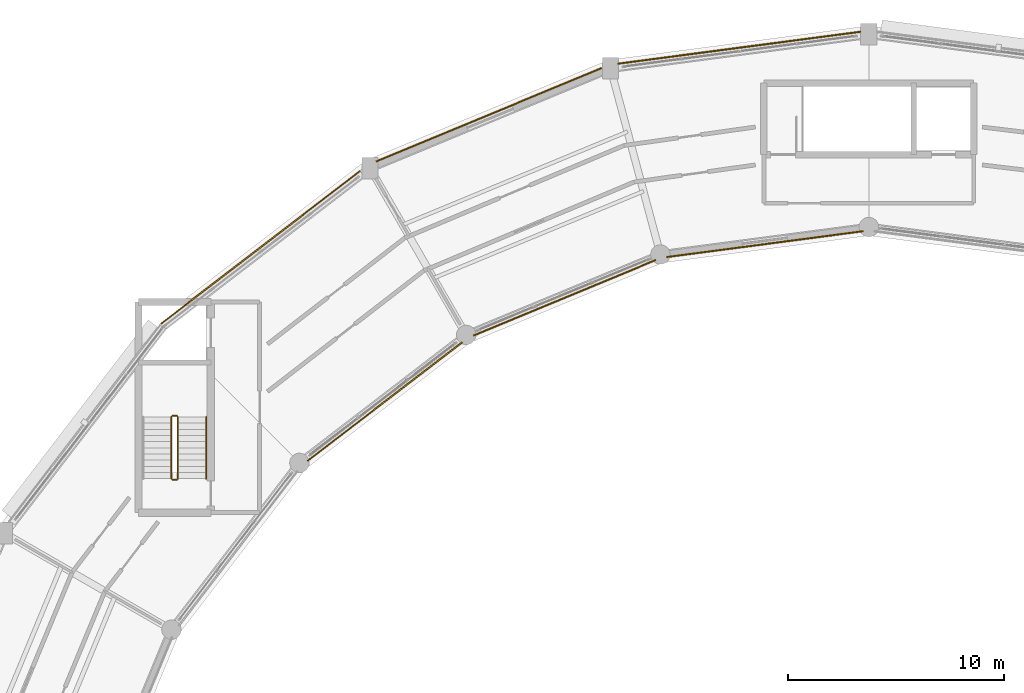
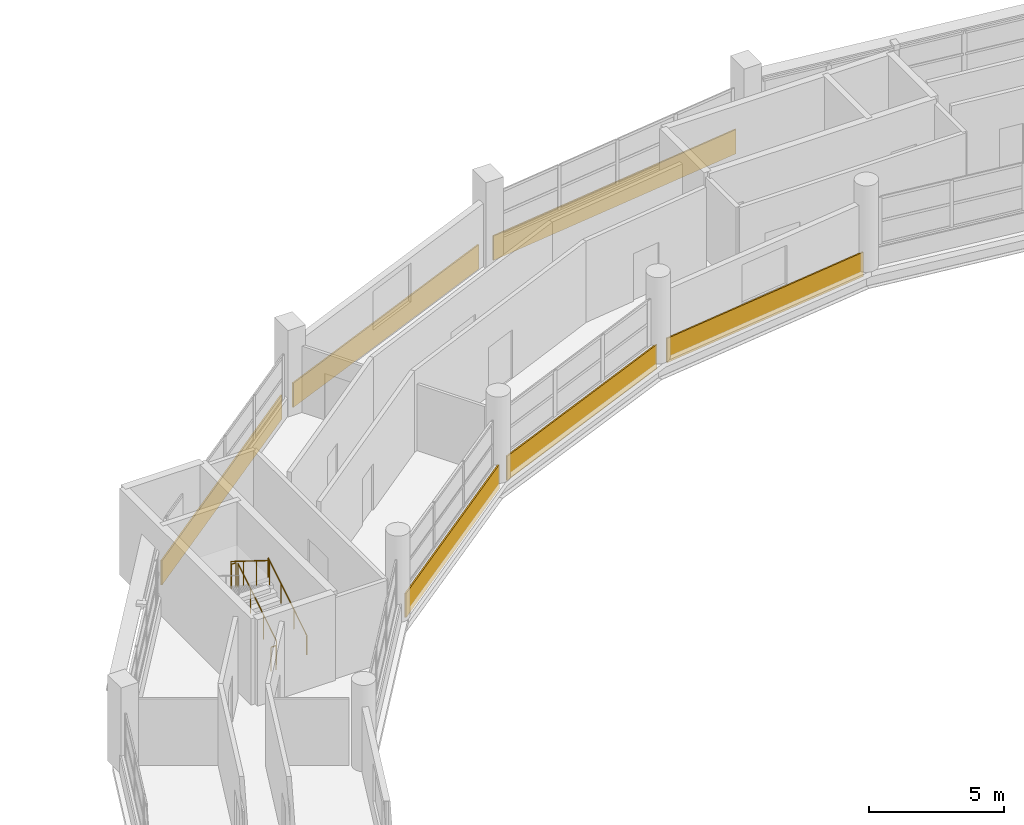
# One storey, part 52 of 53: 6 coverings, 5 railings.
"""IFC4 building model written with IfcOpenShell, lengths in metres."""

from ifc_helpers import new_model, si_unit, direction, frame, frame_2d, origin, origin_2d, place, context, subcontext, project, spatial, rectangle, circle, extrude, material, layer, layer_set, type_object, element, save


model = new_model("IFC4")

# Units and contexts
model_context = context("Model", 3, precision=1e-05, world=origin(), true_north=direction((0.0, 1.0)))
body_context = subcontext(model_context, "Body", "Model", "MODEL_VIEW")
ifc_project = project(units=[si_unit("LENGTHUNIT", "METRE"), si_unit("AREAUNIT", "SQUARE_METRE"), si_unit("VOLUMEUNIT", "CUBIC_METRE"), si_unit("PLANEANGLEUNIT", "RADIAN"), si_unit("MASSUNIT", "GRAM", prefix="KILO")], contexts=[model_context])

# Site, building, storey
site_placement = place(None, origin())
site = spatial("IfcSite", under=ifc_project, at=site_placement, CompositionType="ELEMENT")
building_placement = place(site_placement, origin())
building = spatial("IfcBuilding", under=site, at=building_placement, Name="Vespera Passage Community Centre", CompositionType="ELEMENT")
storey_placement = place(building_placement, frame((0.0, 0.0, 20.39990234375)))
storey = spatial("IfcBuildingStorey", under=building, at=storey_placement, Name="L05", CompositionType="ELEMENT", Elevation=20.39990234375)

# Coverings
ifc_material_1 = material(Name="Precast concrete f'c 40 MPa", Category="concrete")
ifc_layer = layer(ifc_material_1, 0.06005859375)
ifc_layer_set = layer_set([ifc_layer], Name="Precast concrete f'c 40 MPa")
covering_type = type_object("IfcCoveringType", Name="COV-CLAD-60E", PredefinedType="CLADDING", material=ifc_layer_set)
covering_1_placement = place(storey_placement, frame((66.396484375, 110.243896484375, -0.27978515625), z_axis=(0.0, 0.0, 1.0), x_axis=(0.991446004399, 0.130517509785, 0.0)))
element("IfcCovering", 1, at=covering_1_placement, inside=storey, type_object=covering_type, Name="V4 L05 Outer White Spandrel Band O6", PredefinedType="CLADDING", context=body_context, shape_type="SweptSolid", body=[
    extrude(rectangle(XDim=11.328125, YDim=0.06005859375, at=frame_2d((5.6640625, 0.0))), origin(), (0.0, 0.0, 1.0), 1.099853515625),
])
covering_2_placement = place(storey_placement, frame((77.7451171875, 102.510009765625, -0.27978515625), z_axis=(0.0, 0.0, 1.0), x_axis=(-0.99144567161, -0.13052003772, 0.0)))
element("IfcCovering", 2, at=covering_2_placement, inside=storey, type_object=covering_type, Name="V4 L05 Court White Sill Band I6", PredefinedType="CLADDING", context=body_context, shape_type="SweptSolid", body=[
    extrude(rectangle(XDim=9.15625, YDim=0.06005859375, at=frame_2d((4.578125, 0.0))), origin(), (0.0, 0.0, 1.0), 1.099853515625),
])
covering_3_placement = place(storey_placement, frame((55.23681640625, 105.726806640625, -0.27978515625), z_axis=(0.0, 0.0, 1.0), x_axis=(0.923883530636, 0.382673779896, 0.0)))
element("IfcCovering", 3, at=covering_3_placement, inside=storey, type_object=covering_type, Name="V4 L05 Outer White Sill Band O7", PredefinedType="CLADDING", context=body_context, shape_type="SweptSolid", body=[
    extrude(rectangle(XDim=11.2724609375, YDim=0.06005859375, at=frame_2d((5.63623046875, 0.0))), origin(), (0.0, 0.0, 1.0), 1.099853515625),
])
covering_4_placement = place(storey_placement, frame((68.154296875, 101.174560546875, -0.27978515625), z_axis=(0.0, 0.0, 1.0), x_axis=(-0.92387477551, -0.38269491658, 0.0)))
element("IfcCovering", 4, at=covering_4_placement, inside=storey, type_object=covering_type, Name="V4 L05 Inner Court White Spandrel Band I7", PredefinedType="CLADDING", context=body_context, shape_type="SweptSolid", body=[
    extrude(rectangle(XDim=9.11181640625, YDim=0.06005859375, at=frame_2d((4.555908203125, 0.0))), origin(), (0.0, 0.0, 1.0), 1.099853515625),
])
covering_5_placement = place(storey_placement, frame((45.298828125, 98.232421875, -0.27978515625), z_axis=(0.0, 0.0, 1.0), x_axis=(0.793347191248, 0.608769442514, 0.0)))
element("IfcCovering", 5, at=covering_5_placement, inside=storey, type_object=covering_type, Name="V4 L05 Outer White Spandrel Band O8", PredefinedType="CLADDING", context=body_context, shape_type="SweptSolid", body=[
    extrude(rectangle(XDim=11.5869140625, YDim=0.06005859375, at=frame_2d((5.79345703125, 0.0))), origin(), (0.0, 0.0, 1.0), 1.099853515625),
])
covering_6_placement = place(storey_placement, frame((59.214111328125, 97.378173828125, -0.27978515625), z_axis=(0.0, 0.0, 1.0), x_axis=(-0.793350132061, -0.608765610033, 0.0)))
element("IfcCovering", 6, at=covering_6_placement, inside=storey, type_object=covering_type, Name="V4 L05 Inner Court White Spandrel Band I8", PredefinedType="CLADDING", context=body_context, shape_type="SweptSolid", body=[
    extrude(rectangle(XDim=9.004638671875, YDim=0.06005859375, at=frame_2d((4.50244140625, 0.0))), origin(), (0.0, 0.0, 1.0), 1.099853515625),
])

# Railings
ifc_material_2 = material(Name="Steel ASTM A500 Grade C", Category="steel")
railing_type_1 = type_object("IfcRailingType", Name="RL-HAND-900I", PredefinedType="HANDRAIL", material=ifc_material_2)
railing_1_placement = place(storey_placement, frame((47.383056640625, 91.077880859375, 0.177490234375)))
element("IfcRailing", 7, at=railing_1_placement, inside=storey, type_object=railing_type_1, Name="L05 ST03 stair handrail 1", PredefinedType="HANDRAIL", context=body_context, shape_type="SweptSolid", body=[
    extrude(circle(Radius=0.02392578125, at=origin_2d()), frame((0.0, 0.0, 0.8759765625), z_axis=(0.0, 0.849148672731, 0.528153890072), x_axis=(-1.0, 0.0, 0.0)), (0.0, 0.0, 1.0), 3.3564453125),
    extrude(circle(Radius=0.02099609375, at=origin_2d()), origin(), (0.0, 0.0, 1.0), 0.851806640625),
    extrude(circle(Radius=0.02099609375, at=origin_2d()), frame((0.0, 0.949951171875, 0.5908203125)), (0.0, 0.0, 1.0), 0.851806640625),
    extrude(circle(Radius=0.02099609375, at=origin_2d()), frame((0.0, 1.900146484375, 1.181884765625)), (0.0, 0.0, 1.0), 0.851806640625),
    extrude(circle(Radius=0.02099609375, at=origin_2d()), frame((0.0, 2.85009765625, 1.772705078125)), (0.0, 0.0, 1.0), 0.851806640625),
])
ifc_material_3 = material(Name="Steel ASTM A500 Grade C", Category="steel")
railing_type_2 = type_object("IfcRailingType", Name="RL-STAIR-1100I", PredefinedType="GUARDRAIL", material=ifc_material_3)
railing_2_placement = place(storey_placement, frame((46.0830078125, 91.077880859375, 0.177490234375)))
element("IfcRailing", 8, at=railing_2_placement, inside=storey, type_object=railing_type_2, Name="L05 ST03 stair guard 1", PredefinedType="GUARDRAIL", context=body_context, shape_type="SweptSolid", body=[
    extrude(circle(Radius=0.02392578125, at=origin_2d()), frame((0.0, 0.0, 1.09619140625), z_axis=(0.0, 0.849148672731, 0.528153890072), x_axis=(-1.0, 0.0, 0.0)), (0.0, 0.0, 1.0), 3.3564453125),
    extrude(circle(Radius=0.02099609375, at=origin_2d()), origin(), (0.0, 0.0, 1.0), 1.072021484375),
    extrude(circle(Radius=0.02099609375, at=origin_2d()), frame((0.0, 0.949951171875, 0.5908203125)), (0.0, 0.0, 1.0), 1.072021484375),
    extrude(circle(Radius=0.02099609375, at=origin_2d()), frame((0.0, 1.900146484375, 1.181884765625)), (0.0, 0.0, 1.0), 1.072021484375),
    extrude(circle(Radius=0.02099609375, at=origin_2d()), frame((0.0, 2.85009765625, 1.772705078125)), (0.0, 0.0, 1.0), 1.072021484375),
])
railing_3_placement = place(storey_placement, frame((46.032958984375, 93.97802734375, 1.9501953125)))
element("IfcRailing", 9, at=railing_3_placement, inside=storey, type_object=railing_type_2, Name="L05 ST03 stair guard 2", PredefinedType="GUARDRAIL", context=body_context, shape_type="SweptSolid", body=[
    extrude(circle(Radius=0.02392578125, at=origin_2d()), frame((0.0, 0.0, 1.09619140625), z_axis=(-1.0, 0.0, 0.0), x_axis=(0.0, -1.0, 0.0)), (0.0, 0.0, 1.0), 0.199951171875),
    extrude(circle(Radius=0.02099609375, at=origin_2d()), origin(), (0.0, 0.0, 1.0), 1.072021484375),
    extrude(circle(Radius=0.02099609375, at=origin_2d()), frame((-0.199951171875, 0.0, 0.0)), (0.0, 0.0, 1.0), 1.072021484375),
])
railing_4_placement = place(storey_placement, frame((45.782958984375, 93.927978515625, 2.12744140625)))
element("IfcRailing", 10, at=railing_4_placement, inside=storey, type_object=railing_type_2, Name="L05 ST03 stair guard 3", PredefinedType="GUARDRAIL", context=body_context, shape_type="SweptSolid", body=[
    extrude(circle(Radius=0.02392578125, at=origin_2d()), frame((0.0, 0.0, 1.09619140625), z_axis=(0.0, -0.849148672731, 0.528153890072), x_axis=(1.0, 0.0, 0.0)), (0.0, 0.0, 1.0), 3.3564453125),
    extrude(circle(Radius=0.02099609375, at=origin_2d()), origin(), (0.0, 0.0, 1.0), 1.072021484375),
    extrude(circle(Radius=0.02099609375, at=origin_2d()), frame((0.0, -0.949951171875, 0.5908203125)), (0.0, 0.0, 1.0), 1.072021484375),
    extrude(circle(Radius=0.02099609375, at=origin_2d()), frame((0.0, -1.900146484375, 1.181884765625)), (0.0, 0.0, 1.0), 1.072021484375),
    extrude(circle(Radius=0.02099609375, at=origin_2d()), frame((0.0, -2.85009765625, 1.772705078125)), (0.0, 0.0, 1.0), 1.072021484375),
])
railing_5_placement = place(storey_placement, frame((46.032958984375, 91.028076171875, 0.0)))
element("IfcRailing", 11, at=railing_5_placement, inside=storey, type_object=railing_type_2, Name="L05 ST03 stair guard 4", PredefinedType="GUARDRAIL", context=body_context, shape_type="SweptSolid", body=[
    extrude(circle(Radius=0.02392578125, at=origin_2d()), frame((0.0, 0.0, 1.09619140625), z_axis=(-1.0, 0.0, 0.0), x_axis=(0.0, -1.0, 0.0)), (0.0, 0.0, 1.0), 0.199951171875),
    extrude(circle(Radius=0.02099609375, at=origin_2d()), origin(), (0.0, 0.0, 1.0), 1.072021484375),
    extrude(circle(Radius=0.02099609375, at=origin_2d()), frame((-0.199951171875, 0.0, 0.0)), (0.0, 0.0, 1.0), 1.072021484375),
])

save(model, "model.ifc")
